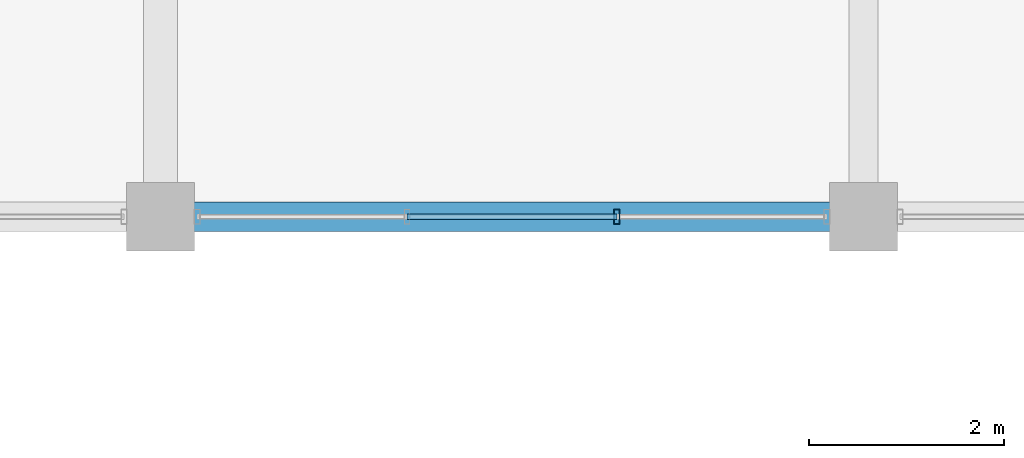
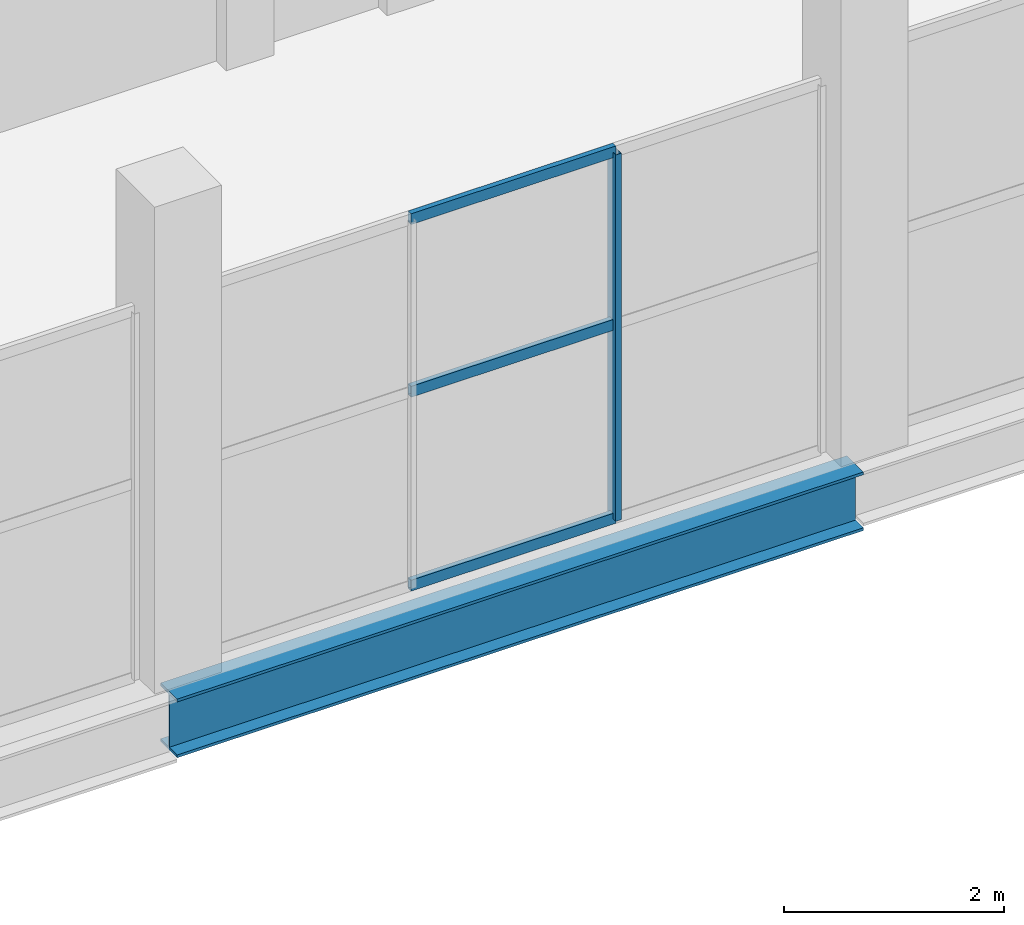
# One storey, part 108 of 147: 4 members, 1 beam, 1 element without a shape of its own.
"""IFC4 building model written with IfcOpenShell, lengths in metres."""

from ifc_helpers import new_model, si_unit, direction, frame, origin, origin_2d, place, context, subcontext, project, spatial, hollow_rectangle, i_section, extrude, material, layer, layer_set, material_profile, profile_set, type_object, element, aggregate, save


model = new_model("IFC4")

# Units and contexts
model_context = context("Model", 3, precision=1e-05, world=origin(), true_north=direction((0.0, 1.0)))
body_context = subcontext(model_context, "Body", "Model", "MODEL_VIEW")
ifc_project = project(units=[si_unit("LENGTHUNIT", "METRE"), si_unit("AREAUNIT", "SQUARE_METRE"), si_unit("VOLUMEUNIT", "CUBIC_METRE"), si_unit("PLANEANGLEUNIT", "RADIAN"), si_unit("MASSUNIT", "GRAM", prefix="KILO")], contexts=[model_context])

# Site, building, storey
site_placement = place(None, origin())
site = spatial("IfcSite", under=ifc_project, at=site_placement, CompositionType="ELEMENT")
building_placement = place(site_placement, origin())
building = spatial("IfcBuilding", under=site, at=building_placement, Name="Sundgate Opera House", CompositionType="ELEMENT")
storey_placement = place(building_placement, frame((0.0, 0.0, 6.0)))
storey = spatial("IfcBuildingStorey", under=building, at=storey_placement, Name="L01", CompositionType="ELEMENT", Elevation=6.0)

# Beam
ifc_material_1 = material(Name="Steel S355J2", Category="steel")
ifc_material_profile_1 = material_profile(ifc_material_1, i_section(OverallWidth=0.300048828125, OverallDepth=0.64990234375, WebThickness=0.01611328125, FlangeThickness=0.031005859375, at=origin_2d()), Name="HEB 650")
ifc_profile_set_1 = profile_set([ifc_material_profile_1], Name="Steel S355J2")
beam_type = type_object("IfcBeamType", Name="BM-GR-HEB650", PredefinedType="BEAM", material=ifc_profile_set_1)
beam_placement = place(storey_placement, frame((138.60009765625, 111.75, -0.625), z_axis=(1.0, 0.0, 0.0), x_axis=(0.0, 1.0, 0.0)))
element("IfcBeam", 1, at=beam_placement, inside=storey, type_object=beam_type, Name="L01 Primary E-W Girder B1447", PredefinedType="BEAM", context=body_context, shape_type="SweptSolid", body=[
    extrude(i_section(OverallWidth=0.300048828125, OverallDepth=0.64990234375, WebThickness=0.01611328125, FlangeThickness=0.031005859375, at=origin_2d()), origin(), (0.0, 0.0, 1.0), 7.199951171875),
])

# Curtain wall, members
ifc_material_2 = material(Name="Anodized aluminium and low-iron glass", Category="aluminium")
ifc_layer = layer(ifc_material_2, 0.159912109375)
ifc_layer_set = layer_set([ifc_layer], Name="Anodized aluminium and low-iron glass")
curtain_wall_type = type_object("IfcCurtainWallType", Name="CW-STUDIO-DARK", PredefinedType="NOTDEFINED", material=ifc_layer_set)
curtain_wall_placement = place(storey_placement, origin())
curtain_wall = element("IfcCurtainWall", 2, at=curtain_wall_placement, inside=storey, type_object=curtain_wall_type, Name="L01 Curtain Wall CW099", PredefinedType="NOTDEFINED")
ifc_material_3 = material(Name="Anodized aluminium EN AW-6063", Category="aluminium")
ifc_material_profile_2 = material_profile(ifc_material_3, hollow_rectangle(XDim=0.06005859375, YDim=0.14990234375, WallThickness=0.00390625, at=origin_2d()), Name="CWM 150x60x4")
ifc_profile_set_2 = profile_set([ifc_material_profile_2], Name="Anodized aluminium EN AW-6063")
member_type_1 = type_object("IfcMemberType", Name="CWM-ALU-150x60", PredefinedType="MULLION", material=ifc_profile_set_2)
member_1_placement = place(storey_placement, frame((143.27490234375, 111.75, 0.0), z_axis=(0.0, 0.0, 1.0), x_axis=(1.0, 0.0, 0.0)))
member_1 = element("IfcMember", 3, at=member_1_placement, type_object=member_type_1, Name="CW099 Mullion 2", PredefinedType="MULLION", context=body_context, shape_type="SweptSolid", body=[
    extrude(hollow_rectangle(XDim=0.06005859375, YDim=0.14990234375, WallThickness=0.00390625, at=origin_2d()), origin(), (0.0, 0.0, 1.0), 4.06494140625),
])
ifc_material_4 = material(Name="Anodized aluminium EN AW-6063", Category="aluminium")
ifc_material_profile_3 = material_profile(ifc_material_4, hollow_rectangle(XDim=0.054931640625, YDim=0.1201171875, WallThickness=0.00390625, at=origin_2d()), Name="CWT 120x55x4")
ifc_profile_set_3 = profile_set([ifc_material_profile_3], Name="Anodized aluminium EN AW-6063")
member_type_2 = type_object("IfcMemberType", Name="CWT-ALU-120x55", PredefinedType="USERDEFINED", material=ifc_profile_set_3)
member_2_placement = place(storey_placement, frame((143.27490234375, 111.75, 0.0), z_axis=(-1.0, 0.0, 0.0), x_axis=(0.0, -1.0, 0.0)))
member_2 = element("IfcMember", 4, at=member_2_placement, type_object=member_type_2, Name="CW099 Transom 4", ObjectType="TRANSOM", PredefinedType="USERDEFINED", context=body_context, shape_type="SweptSolid", body=[
    extrude(hollow_rectangle(XDim=0.054931640625, YDim=0.1201171875, WallThickness=0.00390625, at=origin_2d()), origin(), (0.0, 0.0, 1.0), 2.14990234375),
])
member_3_placement = place(storey_placement, frame((143.27490234375, 111.75, 2.14990234375), z_axis=(-1.0, 0.0, 0.0), x_axis=(0.0, -1.0, 0.0)))
member_3 = element("IfcMember", 5, at=member_3_placement, type_object=member_type_2, Name="CW099 Transom 5", ObjectType="TRANSOM", PredefinedType="USERDEFINED", context=body_context, shape_type="SweptSolid", body=[
    extrude(hollow_rectangle(XDim=0.054931640625, YDim=0.1201171875, WallThickness=0.00390625, at=origin_2d()), origin(), (0.0, 0.0, 1.0), 2.14990234375),
])
member_4_placement = place(storey_placement, frame((143.27490234375, 111.75, 4.06494140625), z_axis=(-1.0, 0.0, 0.0), x_axis=(0.0, -1.0, 0.0)))
member_4 = element("IfcMember", 6, at=member_4_placement, type_object=member_type_2, Name="CW099 Transom 6", ObjectType="TRANSOM", PredefinedType="USERDEFINED", context=body_context, shape_type="SweptSolid", body=[
    extrude(hollow_rectangle(XDim=0.054931640625, YDim=0.1201171875, WallThickness=0.00390625, at=origin_2d()), origin(), (0.0, 0.0, 1.0), 2.14990234375),
])
aggregate(curtain_wall, [member_1, member_2, member_3, member_4])

save(model, "model.ifc")
